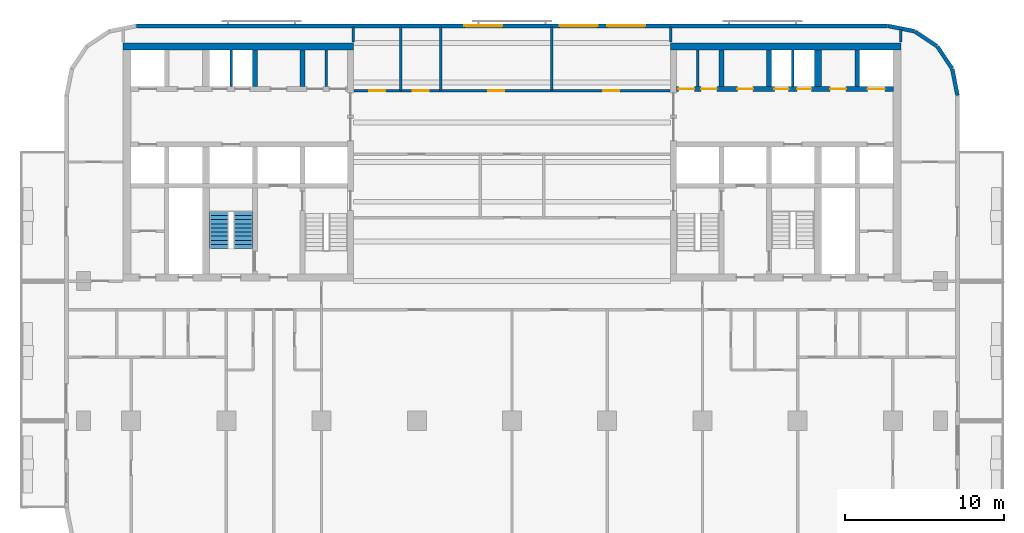
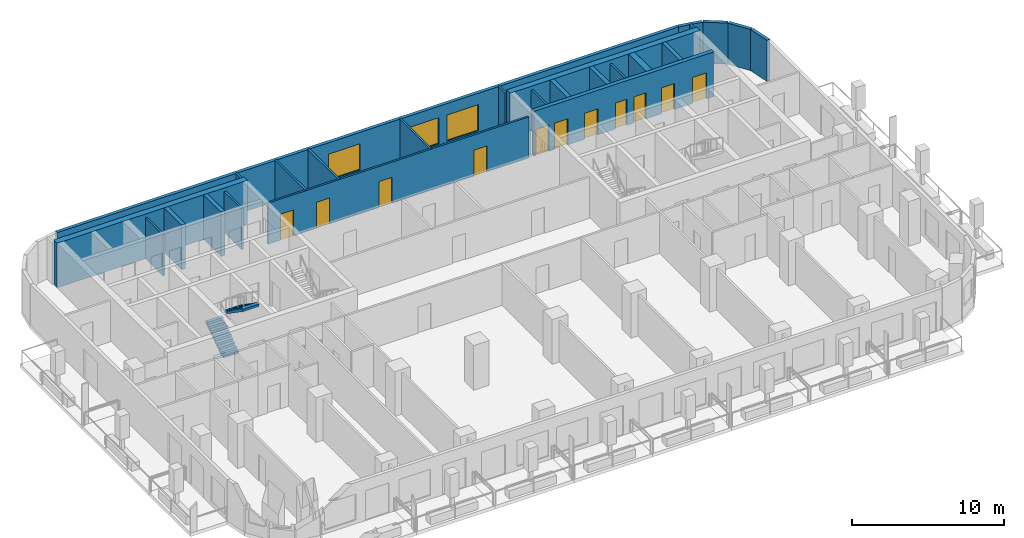
# One storey, part 7 of 11: 25 walls, 11 doors, 3 windows, 2 stair flights, 14 openings, 1 element without a shape of its own.
"""IFC4 building model written with IfcOpenShell, lengths in metres."""

from ifc_helpers import new_model, si_unit, direction, frame, frame_2d, origin, place, context, subcontext, project, spatial, polyline, rectangle, outline, extrude, material, layer, layer_set, type_object, element, fill, aggregate, save


model = new_model("IFC4")

# Units and contexts
model_context = context("Model", 3, precision=1e-05, world=origin(), true_north=direction((0.0, 1.0)))
body_context = subcontext(model_context, "Body", "Model", "MODEL_VIEW")
ifc_project = project(units=[si_unit("LENGTHUNIT", "METRE"), si_unit("AREAUNIT", "SQUARE_METRE"), si_unit("VOLUMEUNIT", "CUBIC_METRE"), si_unit("PLANEANGLEUNIT", "RADIAN"), si_unit("MASSUNIT", "GRAM", prefix="KILO")], contexts=[model_context])

# Site, building, storey
site_placement = place(None, origin())
site = spatial("IfcSite", under=ifc_project, at=site_placement, CompositionType="ELEMENT")
building_placement = place(site_placement, origin())
building = spatial("IfcBuilding", under=site, at=building_placement, Name="Torana Hotel and Residences", CompositionType="ELEMENT")
storey_placement = place(building_placement, frame((0.0, 0.0, 116.39990234375)))
storey = spatial("IfcBuildingStorey", under=building, at=storey_placement, Name="L29", CompositionType="ELEMENT", Elevation=116.39990234375)

# Walls
ifc_material_1 = material(Name="Concrete C70/85", Category="concrete")
ifc_layer_1 = layer(ifc_material_1, 0.300048828125)
ifc_layer_set_1 = layer_set([ifc_layer_1], Name="CORE WALL 300 C70/85")
wall_type_1 = type_object("IfcWallType", Name="CORE WALL 300 C70/85", PredefinedType="SHEAR", material=ifc_layer_set_1)
for number, where, z_axis, x_axis, name in (
    (1, (-13.199951171875, -2.75, 0.0), (0.0, 0.0, 1.0), (0.0, 1.0, 0.0), "Core wall W x3.05-N"),
    (2, (-16.199951171875, -2.75, 0.0), (0.0, 0.0, 1.0), (0.0, 1.0, 0.0), "Core wall W x6.05-N"),
):
    element("IfcWall", number, at=place(storey_placement, frame(where, z_axis=z_axis, x_axis=x_axis)), inside=storey, type_object=wall_type_1, Name=name, PredefinedType="SHEAR", context=body_context, shape_type="SweptSolid", body=[
        extrude(rectangle(XDim=2.300048828125, YDim=0.300048828125, at=frame_2d((1.14990234375, 0.0))), origin(), (0.0, 0.0, 1.0), 3.60009765625),
    ])

# Wall, openings, doors
wall_1_placement = place(storey_placement, frame((10.35009765625, -2.89990234375, 0.0), z_axis=(0.0, 0.0, 1.0), x_axis=(1.0, 0.0, 0.0)))
wall_1 = element("IfcWall", 3, at=wall_1_placement, inside=storey, type_object=wall_type_1, Name="Core wall E row-N", PredefinedType="SHEAR", context=body_context, shape_type="SweptSolid", body=[
    extrude(rectangle(XDim=13.699951171875, YDim=0.300048828125, at=frame_2d((6.85009765625, 0.0))), origin(), (0.0, 0.0, 1.0), 3.60009765625),
])
opening_1_placement = place(wall_1_placement, frame((12.050048828125, 0.0, 0.0)))
opening_1 = element("IfcOpeningElement", 4, at=opening_1_placement, cuts=wall_1, Name="Opening LD", PredefinedType="OPENING", context=body_context, shape_type="SweptSolid", body=[
    extrude(rectangle(XDim=1.10009765625, YDim=2.10009765625, at=frame_2d((0.550048828125, 1.050048828125))), frame((0.0, 0.159912109375, 0.0), z_axis=(0.0, -1.0, 0.0), x_axis=(1.0, 0.0, 0.0)), (0.0, 0.0, 1.0), 0.320068359375),
])
opening_2_placement = place(wall_1_placement, frame((6.1875, 0.0, 0.0)))
opening_2 = element("IfcOpeningElement", 5, at=opening_2_placement, cuts=wall_1, Name="Opening L29-23", PredefinedType="OPENING", context=body_context, shape_type="SweptSolid", body=[
    extrude(rectangle(XDim=0.89990234375, YDim=2.10009765625, at=frame_2d((0.449951171875, 1.050048828125))), frame((0.0, 0.159912109375, 0.0), z_axis=(0.0, -1.0, 0.0), x_axis=(1.0, 0.0, 0.0)), (0.0, 0.0, 1.0), 0.320068359375),
])
opening_3_placement = place(wall_1_placement, frame((7.612548828125, 0.0, 0.0)))
opening_3 = element("IfcOpeningElement", 6, at=opening_3_placement, cuts=wall_1, Name="Opening L29-24", PredefinedType="OPENING", context=body_context, shape_type="SweptSolid", body=[
    extrude(rectangle(XDim=0.89990234375, YDim=2.10009765625, at=frame_2d((0.449951171875, 1.050048828125))), frame((0.0, 0.159912109375, 0.0), z_axis=(0.0, -1.0, 0.0), x_axis=(1.0, 0.0, 0.0)), (0.0, 0.0, 1.0), 0.320068359375),
])
opening_4_placement = place(wall_1_placement, frame((0.137451171875, 0.0, 0.0)))
opening_4 = element("IfcOpeningElement", 7, at=opening_4_placement, cuts=wall_1, Name="Opening L29-25", PredefinedType="OPENING", context=body_context, shape_type="SweptSolid", body=[
    extrude(rectangle(XDim=1.0, YDim=2.10009765625, at=frame_2d((0.5, 1.050048828125))), frame((0.0, 0.159912109375, 0.0), z_axis=(0.0, -1.0, 0.0), x_axis=(1.0, 0.0, 0.0)), (0.0, 0.0, 1.0), 0.320068359375),
])
opening_5_placement = place(wall_1_placement, frame((1.5625, 0.0, 0.0)))
opening_5 = element("IfcOpeningElement", 8, at=opening_5_placement, cuts=wall_1, Name="Opening L29-26", PredefinedType="OPENING", context=body_context, shape_type="SweptSolid", body=[
    extrude(rectangle(XDim=1.0, YDim=2.10009765625, at=frame_2d((0.5, 1.050048828125))), frame((0.0, 0.159912109375, 0.0), z_axis=(0.0, -1.0, 0.0), x_axis=(1.0, 0.0, 0.0)), (0.0, 0.0, 1.0), 0.320068359375),
])
opening_6_placement = place(wall_1_placement, frame((3.85009765625, 0.0, 0.0)))
opening_6 = element("IfcOpeningElement", 9, at=opening_6_placement, cuts=wall_1, Name="Opening L29-27", PredefinedType="OPENING", context=body_context, shape_type="SweptSolid", body=[
    extrude(rectangle(XDim=1.0, YDim=2.10009765625, at=frame_2d((0.5, 1.050048828125))), frame((0.0, 0.159912109375, 0.0), z_axis=(0.0, -1.0, 0.0), x_axis=(1.0, 0.0, 0.0)), (0.0, 0.0, 1.0), 0.320068359375),
])
opening_7_placement = place(wall_1_placement, frame((9.699951171875, 0.0, 0.0)))
opening_7 = element("IfcOpeningElement", 10, at=opening_7_placement, cuts=wall_1, Name="Opening L29-28", PredefinedType="OPENING", context=body_context, shape_type="SweptSolid", body=[
    extrude(rectangle(XDim=1.0, YDim=2.10009765625, at=frame_2d((0.5, 1.050048828125))), frame((0.0, 0.159912109375, 0.0), z_axis=(0.0, -1.0, 0.0), x_axis=(1.0, 0.0, 0.0)), (0.0, 0.0, 1.0), 0.320068359375),
])
ifc_material_2 = material(Name="Steel S235", Category="steel")
door_type_1 = type_object("IfcDoorType", Name="CORE ROOM FIRE DOOR D14 1000x2100", OperationType="SINGLE_SWING_LEFT", PredefinedType="DOOR", material=ifc_material_2)
door_1_placement = place(opening_4_placement, origin())
door_1 = element("IfcDoor", 11, at=door_1_placement, inside=storey, type_object=door_type_1, Name="N0A door L29", OperationType="SINGLE_SWING_RIGHT", OverallHeight=2.10009765625, OverallWidth=1.0, PredefinedType="DOOR", context=body_context, shape_type="SweptSolid", body=[
    extrude(rectangle(XDim=1.0, YDim=2.10009765625, at=frame_2d((0.5, 1.050048828125))), frame((0.0, 0.02490234375, 0.0), z_axis=(0.0, -1.0, 0.0), x_axis=(1.0, 0.0, 0.0)), (0.0, 0.0, 1.0), 0.050048828125),
])
fill(opening_4, door_1)
door_2_placement = place(opening_5_placement, origin())
door_2 = element("IfcDoor", 12, at=door_2_placement, inside=storey, type_object=door_type_1, Name="N0B door L29", OperationType="SINGLE_SWING_RIGHT", OverallHeight=2.10009765625, OverallWidth=1.0, PredefinedType="DOOR", context=body_context, shape_type="SweptSolid", body=[
    extrude(rectangle(XDim=1.0, YDim=2.10009765625, at=frame_2d((0.5, 1.050048828125))), frame((0.0, 0.02490234375, 0.0), z_axis=(0.0, -1.0, 0.0), x_axis=(1.0, 0.0, 0.0)), (0.0, 0.0, 1.0), 0.050048828125),
])
fill(opening_5, door_2)
door_3_placement = place(opening_6_placement, origin())
door_3 = element("IfcDoor", 13, at=door_3_placement, inside=storey, type_object=door_type_1, Name="N1 door L29", OperationType="SINGLE_SWING_RIGHT", OverallHeight=2.10009765625, OverallWidth=1.0, PredefinedType="DOOR", context=body_context, shape_type="SweptSolid", body=[
    extrude(rectangle(XDim=1.0, YDim=2.10009765625, at=frame_2d((0.5, 1.050048828125))), frame((0.0, 0.02490234375, 0.0), z_axis=(0.0, -1.0, 0.0), x_axis=(1.0, 0.0, 0.0)), (0.0, 0.0, 1.0), 0.050048828125),
])
fill(opening_6, door_3)
door_4_placement = place(opening_7_placement, origin())
door_4 = element("IfcDoor", 14, at=door_4_placement, inside=storey, type_object=door_type_1, Name="Freed-S2 door L29", OperationType="SINGLE_SWING_RIGHT", OverallHeight=2.10009765625, OverallWidth=1.0, PredefinedType="DOOR", context=body_context, shape_type="SweptSolid", body=[
    extrude(rectangle(XDim=1.0, YDim=2.10009765625, at=frame_2d((0.5, 1.050048828125))), frame((0.0, 0.02490234375, 0.0), z_axis=(0.0, -1.0, 0.0), x_axis=(1.0, 0.0, 0.0)), (0.0, 0.0, 1.0), 0.050048828125),
])
fill(opening_7, door_4)
ifc_material_3 = material(Name="Stainless steel 316", Category="steel")
door_type_2 = type_object("IfcDoorType", Name="LIFT LANDING DOOR LD 1100x2100", OperationType="DOUBLE_DOOR_SLIDING", PredefinedType="USERDEFINED", material=ifc_material_3)
door_5_placement = place(opening_1_placement, origin())
door_5 = element("IfcDoor", 15, at=door_5_placement, inside=storey, type_object=door_type_2, Name="Lift landing door M3 L29", ObjectType="LIFT LANDING DOOR", OperationType="DOUBLE_DOOR_SLIDING", OverallHeight=2.10009765625, OverallWidth=1.10009765625, PredefinedType="USERDEFINED", context=body_context, shape_type="SweptSolid", body=[
    extrude(rectangle(XDim=1.10009765625, YDim=2.10009765625, at=frame_2d((0.550048828125, 1.050048828125))), frame((0.0, 0.02490234375, 0.0), z_axis=(0.0, -1.0, 0.0), x_axis=(1.0, 0.0, 0.0)), (0.0, 0.0, 1.0), 0.050048828125),
])
fill(opening_1, door_5)
ifc_material_4 = material(Name="Steel S235", Category="steel")
door_type_3 = type_object("IfcDoorType", Name="RISER ACCESS DOOR D5 900x2100", OperationType="SINGLE_SWING_LEFT", PredefinedType="DOOR", material=ifc_material_4)
door_6_placement = place(opening_2_placement, origin())
door_6 = element("IfcDoor", 16, at=door_6_placement, inside=storey, type_object=door_type_3, Name="N2A door L29", OperationType="SINGLE_SWING_RIGHT", OverallHeight=2.10009765625, OverallWidth=0.89990234375, PredefinedType="DOOR", context=body_context, shape_type="SweptSolid", body=[
    extrude(rectangle(XDim=0.89990234375, YDim=2.10009765625, at=frame_2d((0.449951171875, 1.050048828125))), frame((0.0, 0.02490234375, 0.0), z_axis=(0.0, -1.0, 0.0), x_axis=(1.0, 0.0, 0.0)), (0.0, 0.0, 1.0), 0.050048828125),
])
fill(opening_2, door_6)
door_7_placement = place(opening_3_placement, origin())
door_7 = element("IfcDoor", 17, at=door_7_placement, inside=storey, type_object=door_type_3, Name="N2B door L29", OperationType="SINGLE_SWING_RIGHT", OverallHeight=2.10009765625, OverallWidth=0.89990234375, PredefinedType="DOOR", context=body_context, shape_type="SweptSolid", body=[
    extrude(rectangle(XDim=0.89990234375, YDim=2.10009765625, at=frame_2d((0.449951171875, 1.050048828125))), frame((0.0, 0.02490234375, 0.0), z_axis=(0.0, -1.0, 0.0), x_axis=(1.0, 0.0, 0.0)), (0.0, 0.0, 1.0), 0.050048828125),
])
fill(opening_3, door_7)

# Walls
for number, where, z_axis, x_axis, name in (
    (18, (13.199951171875, -2.75, 0.0), (0.0, 0.0, 1.0), (0.0, 1.0, 0.0), "Core wall E x3.05-N"),
    (19, (16.199951171875, -2.75, 0.0), (0.0, 0.0, 1.0), (0.0, 1.0, 0.0), "Core wall E x6.05-N"),
    (20, (21.75, -2.75, 0.0), (0.0, 0.0, 1.0), (0.0, 1.0, 0.0), "Core wall E mm-N"),
):
    element("IfcWall", number, at=place(storey_placement, frame(where, z_axis=z_axis, x_axis=x_axis)), inside=storey, type_object=wall_type_1, Name=name, PredefinedType="SHEAR", context=body_context, shape_type="SweptSolid", body=[
        extrude(rectangle(XDim=2.300048828125, YDim=0.300048828125, at=frame_2d((1.14990234375, 0.0))), origin(), (0.0, 0.0, 1.0), 3.60009765625),
    ])
ifc_material_5 = material(Name="Concrete C70/85", Category="concrete")
ifc_layer_2 = layer(ifc_material_5, 0.449951171875)
ifc_layer_set_2 = layer_set([ifc_layer_2], Name="CORE WALL 450 C70/85")
wall_type_2 = type_object("IfcWallType", Name="CORE WALL 450 C70/85", PredefinedType="SHEAR", material=ifc_layer_set_2)
for number, where, z_axis, x_axis, name in (
    (21, (-24.5, -0.22509765625, 0.0), (0.0, 0.0, 1.0), (1.0, 0.0, 0.0), "Core wall W rear"),
    (22, (10.0, -0.22509765625, 0.0), (0.0, 0.0, 1.0), (1.0, 0.0, 0.0), "Core wall E rear"),
):
    element("IfcWall", number, at=place(storey_placement, frame(where, z_axis=z_axis, x_axis=x_axis)), inside=storey, type_object=wall_type_2, Name=name, PredefinedType="SHEAR", context=body_context, shape_type="SweptSolid", body=[
        extrude(rectangle(XDim=14.5, YDim=0.449951171875, at=frame_2d((7.25, 0.0))), origin(), (0.0, 0.0, 1.0), 3.60009765625),
    ])
wall_2_placement = place(storey_placement, frame((19.27490234375, -2.75, 0.0), z_axis=(0.0, 0.0, 1.0), x_axis=(0.0, 1.0, 0.0)))
element("IfcWall", 23, at=wall_2_placement, inside=storey, type_object=wall_type_2, Name="Core wall E hm-N", PredefinedType="SHEAR", context=body_context, shape_type="SweptSolid", body=[
    extrude(rectangle(XDim=2.300048828125, YDim=0.449951171875, at=frame_2d((1.14990234375, 0.0))), origin(), (0.0, 0.0, 1.0), 3.60009765625),
])
ifc_material_6 = material(Name="Black aluminium composite panel", Category="aluminium")
ifc_layer_3 = layer(ifc_material_6, 0.00390625, Name="Cladding", Category="cladding")
ifc_material_7 = material(Name="Ventilated air cavity")
ifc_layer_4 = layer(ifc_material_7, 0.0400390625, Name="Ventilated cavity", Category="cavity")
ifc_material_8 = material(Name="Mineral wool insulation")
ifc_layer_5 = layer(ifc_material_8, 0.090087890625, Name="Insulation", Category="insulation")
ifc_material_9 = material(Name="Steel S280GD", Category="steel")
ifc_layer_6 = layer(ifc_material_9, 0.092041015625, Name="Steel stud frame", Category="structure")
ifc_material_10 = material(Name="Fire rated plasterboard")
ifc_layer_7 = layer(ifc_material_10, 0.011962890625, Name="Inner board", Category="finish")
ifc_layer_8 = layer(ifc_material_10, 0.011962890625, Name="Second board", Category="finish")
ifc_layer_set_3 = layer_set([ifc_layer_3, ifc_layer_4, ifc_layer_5, ifc_layer_6, ifc_layer_7, ifc_layer_8], Name="EW1 EXTERNAL WALL BLACK METAL CLAD 250")
wall_type_3 = type_object("IfcWallType", Name="EW1 EXTERNAL WALL BLACK METAL CLAD 250", PredefinedType="SOLIDWALL", material=ifc_layer_set_3)
wall_3_placement = place(storey_placement, frame((28.072509765625, -3.30029296875, 0.0), z_axis=(0.0, 0.0, 1.0), x_axis=(-0.194999110559, 0.980803419081, 0.0)))
element("IfcWall", 24, at=wall_3_placement, inside=storey, type_object=wall_type_3, Name="External wall L29 e0.0", PredefinedType="SOLIDWALL", context=body_context, shape_type="SweptSolid", body=[
    extrude(rectangle(XDim=1.681396484375, YDim=0.25, at=frame_2d((0.8408203125, 0.0))), origin(), (0.0, 0.0, 1.0), 3.320068359375),
])
for number, where, z_axis, x_axis, name in (
    (25, (27.725830078125, -1.60595703125, 0.0), (0.0, 0.0, 1.0), (-0.55555029066, 0.831482937015, 0.0), "External wall L29 e0.1"),
    (26, (26.771240234375, -0.1943359375, 0.0), (0.0, 0.0, 1.0), (-0.831482937015, 0.55555029066, 0.0), "External wall L29 e0.2"),
):
    element("IfcWall", number, at=place(storey_placement, frame(where, z_axis=z_axis, x_axis=x_axis)), inside=storey, type_object=wall_type_3, Name=name, PredefinedType="SOLIDWALL", context=body_context, shape_type="SweptSolid", body=[
        extrude(rectangle(XDim=1.65625, YDim=0.25, at=frame_2d((0.828125, 0.0))), origin(), (0.0, 0.0, 1.0), 3.320068359375),
    ])
wall_4_placement = place(storey_placement, frame((25.348876953125, 0.74462890625, 0.0), z_axis=(0.0, 0.0, 1.0), x_axis=(-0.980803419081, 0.194999110559, 0.0)))
element("IfcWall", 27, at=wall_4_placement, inside=storey, type_object=wall_type_3, Name="External wall L29 e0.3", PredefinedType="SOLIDWALL", context=body_context, shape_type="SweptSolid", body=[
    extrude(rectangle(XDim=1.681396484375, YDim=0.25, at=frame_2d((0.8408203125, 0.0))), origin(), (0.0, 0.0, 1.0), 3.320068359375),
])

# Wall, openings, windows
ifc_material_11 = material(Name="Concrete C40/50 precast", Category="concrete")
ifc_layer_9 = layer(ifc_material_11, 0.10009765625, Name="Perforated block", Category="cladding")
ifc_material_12 = material(Name="Air cavity")
ifc_layer_10 = layer(ifc_material_12, 0.030029296875, Name="Cavity", Category="cavity")
ifc_material_13 = material(Name="Concrete C40/50", Category="concrete")
ifc_layer_11 = layer(ifc_material_13, 0.10009765625, Name="Wall", Category="structure")
ifc_material_14 = material(Name="Plaster and paint")
ifc_layer_12 = layer(ifc_material_14, 0.02001953125, Name="Inner finish", Category="finish")
ifc_layer_set_4 = layer_set([ifc_layer_9, ifc_layer_10, ifc_layer_11, ifc_layer_12], Name="EW2 PERFORATED BLOCK SCREEN WALL 250")
wall_type_4 = type_object("IfcWallType", Name="EW2 PERFORATED BLOCK SCREEN WALL 250", PredefinedType="SOLIDWALL", material=ifc_layer_set_4)
wall_5_placement = place(storey_placement, frame((23.67529296875, 1.074951171875, 0.0), z_axis=(0.0, 0.0, 1.0), x_axis=(-1.0, 0.0, 0.0)))
wall_5 = element("IfcWall", 28, at=wall_5_placement, inside=storey, type_object=wall_type_4, Name="External wall L29 e0.4", PredefinedType="SOLIDWALL", context=body_context, shape_type="SweptSolid", body=[
    extrude(rectangle(XDim=47.3505859375, YDim=0.25, at=frame_2d((23.67529296875, 0.0))), origin(), (0.0, 0.0, 1.0), 3.320068359375),
])
opening_8_placement = place(wall_5_placement, frame((15.275390625, 0.0, 0.300048828125)))
opening_8 = element("IfcOpeningElement", 29, at=opening_8_placement, cuts=wall_5, Name="Opening W1", PredefinedType="OPENING", context=body_context, shape_type="SweptSolid", body=[
    extrude(rectangle(XDim=2.39990234375, YDim=2.10009765625, at=frame_2d((1.199951171875, 1.050048828125))), frame((0.0, 0.135009765625, 0.0), z_axis=(0.0, -1.0, 0.0), x_axis=(1.0, 0.0, 0.0)), (0.0, 0.0, 1.0), 0.27001953125),
])
opening_9_placement = place(wall_5_placement, frame((18.275390625, 0.0, 0.300048828125)))
opening_9 = element("IfcOpeningElement", 30, at=opening_9_placement, cuts=wall_5, Name="Opening W1", PredefinedType="OPENING", context=body_context, shape_type="SweptSolid", body=[
    extrude(rectangle(XDim=2.39990234375, YDim=2.10009765625, at=frame_2d((1.199951171875, 1.050048828125))), frame((0.0, 0.135009765625, 0.0), z_axis=(0.0, -1.0, 0.0), x_axis=(1.0, 0.0, 0.0)), (0.0, 0.0, 1.0), 0.27001953125),
])
opening_10_placement = place(wall_5_placement, frame((24.275390625, 0.0, 0.300048828125)))
opening_10 = element("IfcOpeningElement", 31, at=opening_10_placement, cuts=wall_5, Name="Opening W1", PredefinedType="OPENING", context=body_context, shape_type="SweptSolid", body=[
    extrude(rectangle(XDim=2.39990234375, YDim=2.10009765625, at=frame_2d((1.199951171875, 1.050048828125))), frame((0.0, 0.135009765625, 0.0), z_axis=(0.0, -1.0, 0.0), x_axis=(1.0, 0.0, 0.0)), (0.0, 0.0, 1.0), 0.27001953125),
])
ifc_material_15 = material(Name="Dark glass in black aluminium frame", Category="aluminium")
window_type = type_object("IfcWindowType", Name="W1 HOTEL ROOM WINDOW 2400x2100", PartitioningType="SINGLE_PANEL", PredefinedType="WINDOW", material=ifc_material_15)
window_1_placement = place(opening_8_placement, origin())
window_1 = element("IfcWindow", 32, at=window_1_placement, inside=storey, type_object=window_type, Name="Window L29", OverallHeight=2.10009765625, OverallWidth=2.39990234375, PartitioningType="SINGLE_PANEL", PredefinedType="WINDOW", context=body_context, shape_type="SweptSolid", body=[
    extrude(rectangle(XDim=2.39990234375, YDim=2.10009765625, at=frame_2d((1.199951171875, 1.050048828125))), frame((0.0, 0.030029296875, 0.0), z_axis=(0.0, -1.0, 0.0), x_axis=(1.0, 0.0, 0.0)), (0.0, 0.0, 1.0), 0.06005859375),
])
fill(opening_8, window_1)
window_2_placement = place(opening_9_placement, origin())
window_2 = element("IfcWindow", 33, at=window_2_placement, inside=storey, type_object=window_type, Name="Window L29", OverallHeight=2.10009765625, OverallWidth=2.39990234375, PartitioningType="SINGLE_PANEL", PredefinedType="WINDOW", context=body_context, shape_type="SweptSolid", body=[
    extrude(rectangle(XDim=2.39990234375, YDim=2.10009765625, at=frame_2d((1.199951171875, 1.050048828125))), frame((0.0, 0.030029296875, 0.0), z_axis=(0.0, -1.0, 0.0), x_axis=(1.0, 0.0, 0.0)), (0.0, 0.0, 1.0), 0.06005859375),
])
fill(opening_9, window_2)
window_3_placement = place(opening_10_placement, origin())
window_3 = element("IfcWindow", 34, at=window_3_placement, inside=storey, type_object=window_type, Name="Window L29", OverallHeight=2.10009765625, OverallWidth=2.39990234375, PartitioningType="SINGLE_PANEL", PredefinedType="WINDOW", context=body_context, shape_type="SweptSolid", body=[
    extrude(rectangle(XDim=2.39990234375, YDim=2.10009765625, at=frame_2d((1.199951171875, 1.050048828125))), frame((0.0, 0.030029296875, 0.0), z_axis=(0.0, -1.0, 0.0), x_axis=(1.0, 0.0, 0.0)), (0.0, 0.0, 1.0), 0.06005859375),
])
fill(opening_10, window_3)

# Walls
ifc_material_16 = material(Name="Gypsum plaster")
ifc_layer_13 = layer(ifc_material_16, 0.014892578125, Name="Plaster", Category="finish")
ifc_material_17 = material(Name="Concrete blockwork", Category="masonry")
ifc_layer_14 = layer(ifc_material_17, 0.1201171875, Name="Blockwork", Category="structure")
ifc_layer_15 = layer(ifc_material_16, 0.014892578125, Name="Plaster", Category="finish")
ifc_layer_set_5 = layer_set([ifc_layer_13, ifc_layer_14, ifc_layer_15], Name="FIRE PARTITION 150 BLOCKWORK")
wall_type_5 = type_object("IfcWallType", Name="FIRE PARTITION 150 BLOCKWORK", PredefinedType="PARTITIONING", material=ifc_layer_set_5)
for number, where, z_axis, x_axis, name in (
    (35, (-17.699951171875, -2.75, 0.0), (0.0, 0.0, 1.0), (0.0, 1.0, 0.0), "Core partition L29"),
    (36, (-11.699951171875, -2.75, 0.0), (0.0, 0.0, 1.0), (0.0, 1.0, 0.0), "Core partition L29"),
    (37, (17.699951171875, -2.75, 0.0), (0.0, 0.0, 1.0), (0.0, 1.0, 0.0), "Core partition L29"),
    (38, (11.699951171875, -2.75, 0.0), (0.0, 0.0, 1.0), (0.0, 1.0, 0.0), "Core partition L29"),
):
    element("IfcWall", number, at=place(storey_placement, frame(where, z_axis=z_axis, x_axis=x_axis)), inside=storey, type_object=wall_type_5, Name=name, PredefinedType="PARTITIONING", context=body_context, shape_type="SweptSolid", body=[
        extrude(rectangle(XDim=2.300048828125, YDim=0.14990234375, at=frame_2d((1.14990234375, 0.0))), origin(), (0.0, 0.0, 1.0), 3.300048828125),
    ])

# Wall, openings, doors
wall_6_placement = place(storey_placement, frame((-9.949951171875, -3.0, 0.0), z_axis=(0.0, 0.0, 1.0), x_axis=(1.0, 0.0, 0.0)))
wall_6 = element("IfcWall", 39, at=wall_6_placement, inside=storey, type_object=wall_type_5, Name="Partition L29", PredefinedType="PARTITIONING", context=body_context, shape_type="SweptSolid", body=[
    extrude(rectangle(XDim=19.89990234375, YDim=0.14990234375, at=frame_2d((9.949951171875, 0.0))), origin(), (0.0, 0.0, 1.0), 3.320068359375),
])
opening_11_placement = place(wall_6_placement, frame((0.949951171875, 0.0, 0.0)))
opening_11 = element("IfcOpeningElement", 40, at=opening_11_placement, cuts=wall_6, Name="Opening L29-49", PredefinedType="OPENING", context=body_context, shape_type="SweptSolid", body=[
    extrude(rectangle(XDim=1.0, YDim=2.10009765625, at=frame_2d((0.5, 1.050048828125))), frame((0.0, 0.0849609375, 0.0), z_axis=(0.0, -1.0, 0.0), x_axis=(1.0, 0.0, 0.0)), (0.0, 0.0, 1.0), 0.169921875),
])
opening_12_placement = place(wall_6_placement, frame((3.699951171875, 0.0, 0.0)))
opening_12 = element("IfcOpeningElement", 41, at=opening_12_placement, cuts=wall_6, Name="Opening L29-50", PredefinedType="OPENING", context=body_context, shape_type="SweptSolid", body=[
    extrude(rectangle(XDim=1.0, YDim=2.10009765625, at=frame_2d((0.5, 1.050048828125))), frame((0.0, 0.0849609375, 0.0), z_axis=(0.0, -1.0, 0.0), x_axis=(1.0, 0.0, 0.0)), (0.0, 0.0, 1.0), 0.169921875),
])
opening_13_placement = place(wall_6_placement, frame((8.449951171875, 0.0, 0.0)))
opening_13 = element("IfcOpeningElement", 42, at=opening_13_placement, cuts=wall_6, Name="Opening L29-51", PredefinedType="OPENING", context=body_context, shape_type="SweptSolid", body=[
    extrude(rectangle(XDim=1.0, YDim=2.10009765625, at=frame_2d((0.5, 1.050048828125))), frame((0.0, 0.0849609375, 0.0), z_axis=(0.0, -1.0, 0.0), x_axis=(1.0, 0.0, 0.0)), (0.0, 0.0, 1.0), 0.169921875),
])
opening_14_placement = place(wall_6_placement, frame((15.699951171875, 0.0, 0.0)))
opening_14 = element("IfcOpeningElement", 43, at=opening_14_placement, cuts=wall_6, Name="Opening L29-52", PredefinedType="OPENING", context=body_context, shape_type="SweptSolid", body=[
    extrude(rectangle(XDim=1.0, YDim=2.10009765625, at=frame_2d((0.5, 1.050048828125))), frame((0.0, 0.0849609375, 0.0), z_axis=(0.0, -1.0, 0.0), x_axis=(1.0, 0.0, 0.0)), (0.0, 0.0, 1.0), 0.169921875),
])
ifc_material_18 = material(Name="Steel S235", Category="steel")
door_type_4 = type_object("IfcDoorType", Name="ENTRY FIRE DOOR D6 1000x2100", OperationType="SINGLE_SWING_LEFT", PredefinedType="DOOR", material=ifc_material_18)
door_8_placement = place(opening_11_placement, origin())
door_8 = element("IfcDoor", 44, at=door_8_placement, inside=storey, type_object=door_type_4, Name="Door L29", OperationType="SINGLE_SWING_RIGHT", OverallHeight=2.10009765625, OverallWidth=1.0, PredefinedType="DOOR", context=body_context, shape_type="SweptSolid", body=[
    extrude(rectangle(XDim=1.0, YDim=2.10009765625, at=frame_2d((0.5, 1.050048828125))), frame((0.0, 0.02490234375, 0.0), z_axis=(0.0, -1.0, 0.0), x_axis=(1.0, 0.0, 0.0)), (0.0, 0.0, 1.0), 0.050048828125),
])
fill(opening_11, door_8)
door_9_placement = place(opening_12_placement, origin())
door_9 = element("IfcDoor", 45, at=door_9_placement, inside=storey, type_object=door_type_4, Name="Door L29", OperationType="SINGLE_SWING_RIGHT", OverallHeight=2.10009765625, OverallWidth=1.0, PredefinedType="DOOR", context=body_context, shape_type="SweptSolid", body=[
    extrude(rectangle(XDim=1.0, YDim=2.10009765625, at=frame_2d((0.5, 1.050048828125))), frame((0.0, 0.02490234375, 0.0), z_axis=(0.0, -1.0, 0.0), x_axis=(1.0, 0.0, 0.0)), (0.0, 0.0, 1.0), 0.050048828125),
])
fill(opening_12, door_9)
door_10_placement = place(opening_13_placement, origin())
door_10 = element("IfcDoor", 46, at=door_10_placement, inside=storey, type_object=door_type_4, Name="Door L29", OperationType="SINGLE_SWING_RIGHT", OverallHeight=2.10009765625, OverallWidth=1.0, PredefinedType="DOOR", context=body_context, shape_type="SweptSolid", body=[
    extrude(rectangle(XDim=1.0, YDim=2.10009765625, at=frame_2d((0.5, 1.050048828125))), frame((0.0, 0.02490234375, 0.0), z_axis=(0.0, -1.0, 0.0), x_axis=(1.0, 0.0, 0.0)), (0.0, 0.0, 1.0), 0.050048828125),
])
fill(opening_13, door_10)
door_11_placement = place(opening_14_placement, origin())
door_11 = element("IfcDoor", 47, at=door_11_placement, inside=storey, type_object=door_type_4, Name="Door L29", OperationType="SINGLE_SWING_RIGHT", OverallHeight=2.10009765625, OverallWidth=1.0, PredefinedType="DOOR", context=body_context, shape_type="SweptSolid", body=[
    extrude(rectangle(XDim=1.0, YDim=2.10009765625, at=frame_2d((0.5, 1.050048828125))), frame((0.0, 0.02490234375, 0.0), z_axis=(0.0, -1.0, 0.0), x_axis=(1.0, 0.0, 0.0)), (0.0, 0.0, 1.0), 0.050048828125),
])
fill(opening_14, door_11)

# Walls
ifc_material_19 = material(Name="Gypsum plasterboard")
ifc_layer_16 = layer(ifc_material_19, 0.012451171875, Name="Plasterboard", Category="finish")
ifc_layer_17 = layer(ifc_material_19, 0.012451171875, Name="Plasterboard", Category="finish")
ifc_layer_18 = layer(ifc_material_9, 0.10009765625, Name="Steel studs with mineral wool", Category="insulation")
ifc_layer_19 = layer(ifc_material_19, 0.012451171875, Name="Plasterboard", Category="finish")
ifc_layer_20 = layer(ifc_material_19, 0.012451171875, Name="Plasterboard", Category="finish")
ifc_layer_set_6 = layer_set([ifc_layer_16, ifc_layer_17, ifc_layer_18, ifc_layer_19, ifc_layer_20], Name="PARTITION 150 PLASTERBOARD")
wall_type_6 = type_object("IfcWallType", Name="PARTITION 150 PLASTERBOARD", PredefinedType="PARTITIONING", material=ifc_layer_set_6)
wall_7_placement = place(storey_placement, frame((24.5, 0.050048828125, 0.0), z_axis=(0.0, 0.0, 1.0), x_axis=(0.0, 1.0, 0.0)))
element("IfcWall", 48, at=wall_7_placement, inside=storey, type_object=wall_type_6, Name="Partition L29", PredefinedType="PARTITIONING", context=body_context, shape_type="SweptSolid", body=[
    extrude(rectangle(XDim=0.807373046875, YDim=0.14990234375, at=frame_2d((0.40380859375, 0.0))), origin(), (0.0, 0.0, 1.0), 3.320068359375),
])
wall_8_placement = place(storey_placement, frame((10.0, 0.050048828125, 0.0), z_axis=(0.0, 0.0, 1.0), x_axis=(0.0, 1.0, 0.0)))
element("IfcWall", 49, at=wall_8_placement, inside=storey, type_object=wall_type_6, Name="Partition L29", PredefinedType="PARTITIONING", context=body_context, shape_type="SweptSolid", body=[
    extrude(rectangle(XDim=0.969970703125, YDim=0.14990234375, at=frame_2d((0.48486328125, 0.0))), origin(), (0.0, 0.0, 1.0), 3.320068359375),
])
wall_9_placement = place(storey_placement, frame((2.5, -3.0, 0.0), z_axis=(0.0, 0.0, 1.0), x_axis=(0.0, 1.0, 0.0)))
element("IfcWall", 50, at=wall_9_placement, inside=storey, type_object=wall_type_6, Name="Partition L29", PredefinedType="PARTITIONING", context=body_context, shape_type="SweptSolid", body=[
    extrude(rectangle(XDim=4.02001953125, YDim=0.14990234375, at=frame_2d((2.010009765625, 0.0))), origin(), (0.0, 0.0, 1.0), 3.320068359375),
])
ifc_material_20 = material(Name="Ceramic tile on adhesive")
ifc_layer_21 = layer(ifc_material_20, 0.010009765625, Name="Wall tile", Category="finish")
ifc_material_21 = material(Name="Cement render")
ifc_layer_22 = layer(ifc_material_21, 0.010009765625, Name="Render", Category="finish")
ifc_layer_23 = layer(ifc_material_17, 0.110107421875, Name="Blockwork", Category="structure")
ifc_layer_24 = layer(ifc_material_21, 0.010009765625, Name="Render", Category="finish")
ifc_layer_25 = layer(ifc_material_20, 0.010009765625, Name="Wall tile", Category="finish")
ifc_layer_set_7 = layer_set([ifc_layer_21, ifc_layer_22, ifc_layer_23, ifc_layer_24, ifc_layer_25], Name="WC PARTITION 150")
wall_type_7 = type_object("IfcWallType", Name="WC PARTITION 150", PredefinedType="PLUMBINGWALL", material=ifc_layer_set_7)
for number, where, z_axis, x_axis, name in (
    (51, (-4.5, -3.0, 0.0), (0.0, 0.0, 1.0), (0.0, 1.0, 0.0), "Partition L29"),
    (52, (-7.0, -3.0, 0.0), (0.0, 0.0, 1.0), (0.0, 1.0, 0.0), "Partition L29"),
):
    element("IfcWall", number, at=place(storey_placement, frame(where, z_axis=z_axis, x_axis=x_axis)), inside=storey, type_object=wall_type_7, Name=name, PredefinedType="PLUMBINGWALL", context=body_context, shape_type="SweptSolid", body=[
        extrude(rectangle(XDim=4.02001953125, YDim=0.14990234375, at=frame_2d((2.010009765625, 0.0))), origin(), (0.0, 0.0, 1.0), 3.320068359375),
    ])
wall_10_placement = place(storey_placement, frame((-10.0, 0.050048828125, 0.0), z_axis=(0.0, 0.0, 1.0), x_axis=(0.0, 1.0, 0.0)))
element("IfcWall", 53, at=wall_10_placement, inside=storey, type_object=wall_type_7, Name="Partition L29", PredefinedType="PLUMBINGWALL", context=body_context, shape_type="SweptSolid", body=[
    extrude(rectangle(XDim=0.969970703125, YDim=0.14990234375, at=frame_2d((0.48486328125, 0.0))), origin(), (0.0, 0.0, 1.0), 3.320068359375),
])

# Stair, stair flights
ifc_material_22 = material(Name="Concrete C40/50 precast", Category="concrete")
stair_type = type_object("IfcStairType", Name="STAIR ST2 HALF TURN 1200", PredefinedType="HALF_TURN_STAIR", material=ifc_material_22)
stair_placement = place(storey_placement, origin())
stair = element("IfcStair", 54, at=stair_placement, inside=storey, type_object=stair_type, Name="Stair ST2 L29", PredefinedType="HALF_TURN_STAIR")
ifc_material_23 = material(Name="Concrete C40/50 precast", Category="concrete")
stair_flight_type = type_object("IfcStairFlightType", Name="STAIR FLIGHT 1200 PRECAST", PredefinedType="STRAIGHT", material=ifc_material_23)
stair_flight_1_placement = place(storey_placement, frame((-18.449951171875, -12.949951171875, 0.0), z_axis=(0.0, 0.0, 1.0), x_axis=(0.0, 1.0, 0.0)))
stair_flight_1 = element("IfcStairFlight", 55, at=stair_flight_1_placement, type_object=stair_flight_type, Name="ST2 flight 1", NumberOfRisers=10, NumberOfTreads=9, PredefinedType="STRAIGHT", RiserHeight=0.18, TreadLength=0.26, context=body_context, shape_type="SweptSolid", body=[
    extrude(outline(polyline([(0.0, 0.0), (0.0, 0.179931640625), (0.260009765625, 0.179931640625), (0.260009765625, 0.360107421875), (0.52001953125, 0.360107421875), (0.52001953125, 0.5400390625), (0.780029296875, 0.5400390625), (0.780029296875, 0.719970703125), (1.0400390625, 0.719970703125), (1.0400390625, 0.89990234375), (1.300048828125, 0.89990234375), (1.300048828125, 1.080078125), (1.56005859375, 1.080078125), (1.56005859375, 1.260009765625), (1.820068359375, 1.260009765625), (1.820068359375, 1.43994140625), (2.080078125, 1.43994140625), (2.080078125, 1.6201171875), (2.340087890625, 1.6201171875), (2.340087890625, 1.800048828125), (2.340087890625, 1.437744140625), (0.263427734375, 0.0), (0.0, 0.0)])), frame((0.0, 0.60009765625, 0.0), z_axis=(0.0, -1.0, 0.0), x_axis=(1.0, 0.0, 0.0)), (0.0, 0.0, 1.0), 1.199951171875),
])
stair_flight_2_placement = place(storey_placement, frame((-16.949951171875, -10.610107421875, 1.800048828125), z_axis=(0.0, 0.0, 1.0), x_axis=(0.0, -1.0, 0.0)))
stair_flight_2 = element("IfcStairFlight", 56, at=stair_flight_2_placement, type_object=stair_flight_type, Name="ST2 flight 2", NumberOfRisers=10, NumberOfTreads=9, PredefinedType="STRAIGHT", RiserHeight=0.18, TreadLength=0.26, context=body_context, shape_type="SweptSolid", body=[
    extrude(outline(polyline([(0.0, 0.0), (0.0, 0.179931640625), (0.260009765625, 0.179931640625), (0.260009765625, 0.360107421875), (0.52001953125, 0.360107421875), (0.52001953125, 0.5400390625), (0.780029296875, 0.5400390625), (0.780029296875, 0.719970703125), (1.0400390625, 0.719970703125), (1.0400390625, 0.89990234375), (1.300048828125, 0.89990234375), (1.300048828125, 1.080078125), (1.56005859375, 1.080078125), (1.56005859375, 1.260009765625), (1.820068359375, 1.260009765625), (1.820068359375, 1.43994140625), (2.080078125, 1.43994140625), (2.080078125, 1.6201171875), (2.340087890625, 1.6201171875), (2.340087890625, 1.800048828125), (2.340087890625, 1.437744140625), (0.263427734375, 0.0), (0.0, 0.0)])), frame((0.0, 0.60009765625, 0.0), z_axis=(0.0, -1.0, 0.0), x_axis=(1.0, 0.0, 0.0)), (0.0, 0.0, 1.0), 1.199951171875),
])
aggregate(stair, [stair_flight_1, stair_flight_2])

save(model, "model.ifc")
